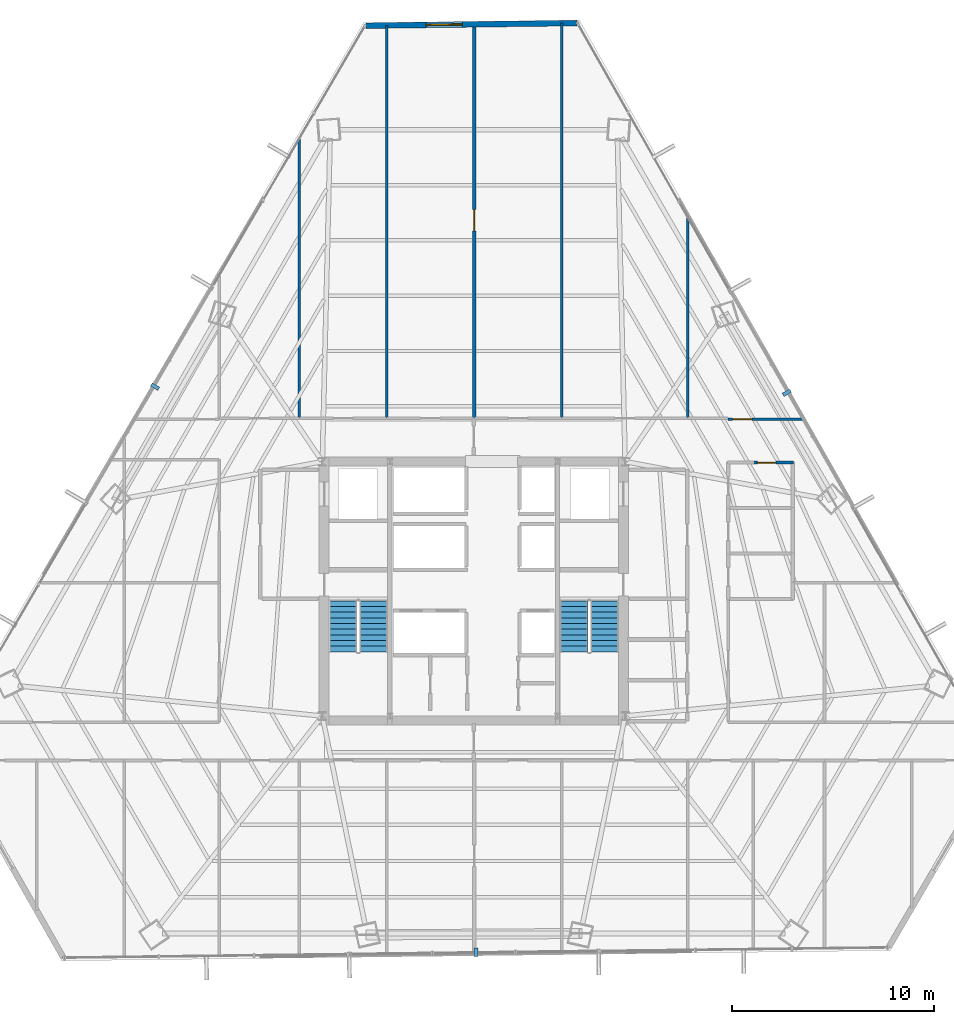
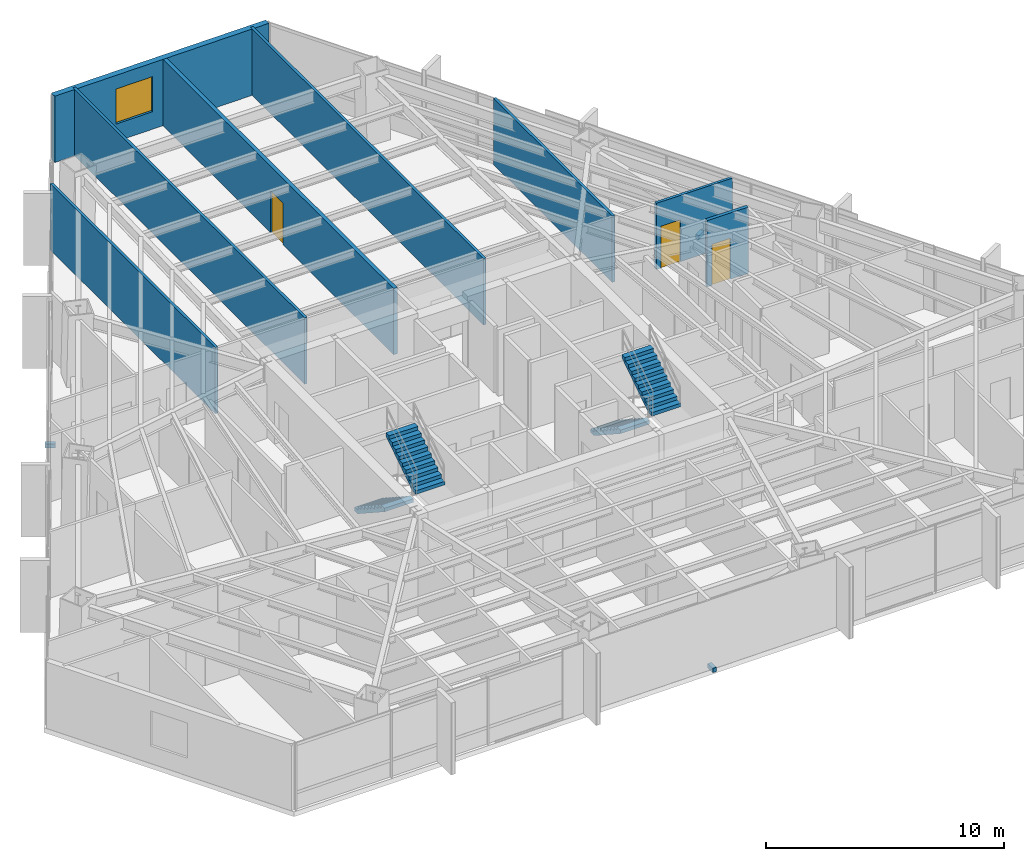
# One storey, part 34 of 37: 8 walls, 4 stair flights, 3 discrete accessories, 3 doors, 1 window, 4 openings, 2 elements without a shape of their own.
"""IFC4 building model written with IfcOpenShell, lengths in metres."""

from ifc_helpers import new_model, si_unit, direction, frame, frame_2d, origin, origin_2d, place, context, subcontext, project, spatial, polyline, rectangle, outline, extrude, source, transform, mapped, material, layer, layer_set, type_object, type_shapes, element, fill, aggregate, save


model = new_model("IFC4")

# Units and contexts
model_context = context("Model", 3, precision=1e-05, world=origin(), true_north=direction((0.0, 1.0)))
body_context = subcontext(model_context, "Body", "Model", "MODEL_VIEW")
ifc_project = project(units=[si_unit("LENGTHUNIT", "METRE"), si_unit("AREAUNIT", "SQUARE_METRE"), si_unit("VOLUMEUNIT", "CUBIC_METRE"), si_unit("PLANEANGLEUNIT", "RADIAN"), si_unit("MASSUNIT", "GRAM", prefix="KILO")], contexts=[model_context])

# Site, building, storey
site_placement = place(None, origin())
site = spatial("IfcSite", under=ifc_project, at=site_placement, CompositionType="ELEMENT")
building_placement = place(site_placement, origin())
building = spatial("IfcBuilding", under=site, at=building_placement, Name="Caelisora Broadcast Tower", CompositionType="ELEMENT")
storey_placement = place(building_placement, frame((0.0, 0.0, 116.35009765625)))
storey = spatial("IfcBuildingStorey", under=building, at=storey_placement, Name="L30", CompositionType="ELEMENT", Elevation=116.35009765625)

# Wall, opening, window
ifc_material_1 = material(Name="Insulated Terracotta Spandrel Wall System", Category="masonry")
ifc_layer_1 = layer(ifc_material_1, 0.280029296875, Name="Insulated Terracotta Spandrel Wall System")
ifc_layer_set_1 = layer_set([ifc_layer_1], Name="Insulated Terracotta Spandrel Wall System")
wall_type_1 = type_object("IfcWallType", Name="EW1", PredefinedType="STANDARD", material=ifc_layer_set_1)
wall_1_placement = place(storey_placement, frame((32.656005859375, 51.59130859375, 0.0), z_axis=(0.0, 0.0, 1.0), x_axis=(0.999923466061, 0.01237182363, 0.0)))
wall_1 = element("IfcWall", 1, at=wall_1_placement, inside=storey, type_object=wall_type_1, Name="L30 exterior envelope wall EW1", PredefinedType="STANDARD", context=body_context, shape_type="SweptSolid", body=[
    extrude(rectangle(XDim=10.458740234375, YDim=0.280029296875, at=frame_2d((5.2294921875, 0.0))), origin(), (0.0, 0.0, 1.0), 3.39990234375),
])
opening_1_placement = place(wall_1_placement, frame((2.97998046875, 0.0, 0.89990234375)))
opening_1 = element("IfcOpeningElement", 2, at=opening_1_placement, cuts=wall_1, Name="Opening W01", PredefinedType="OPENING", context=body_context, shape_type="SweptSolid", body=[
    extrude(rectangle(XDim=1.800048828125, YDim=1.800048828125, at=frame_2d((0.89990234375, 0.89990234375))), frame((0.0, 0.152099609375, 0.0), z_axis=(0.0, -1.0, 0.0), x_axis=(1.0, 0.0, 0.0)), (0.0, 0.0, 1.0), 0.303955078125),
])
ifc_material_2 = material(Name="Double Glazed Terracotta-Framed Vision Window", Category="glass")
window_type = type_object("IfcWindowType", Name="W01", PartitioningType="SINGLE_PANEL", PredefinedType="WINDOW", material=ifc_material_2)
window_placement = place(opening_1_placement, origin())
window = element("IfcWindow", 3, at=window_placement, inside=storey, type_object=window_type, Name="L30 window W01 (L30-WN-CH8)", OverallHeight=1.800048828125, OverallWidth=1.800048828125, PartitioningType="SINGLE_PANEL", PredefinedType="WINDOW", context=body_context, shape_type="SweptSolid", body=[
    extrude(rectangle(XDim=1.800048828125, YDim=1.800048828125, at=frame_2d((0.89990234375, 0.89990234375))), frame((0.0, 0.030029296875, 0.0), z_axis=(0.0, -1.0, 0.0), x_axis=(1.0, 0.0, 0.0)), (0.0, 0.0, 1.0), 0.06005859375),
])
fill(opening_1, window)

# Wall, opening, door
ifc_material_3 = material(Name="Fire-Rated Gypsum Shaft and Compartment Wall", Category="gypsum")
ifc_layer_2 = layer(ifc_material_3, 0.179931640625, Name="Fire-Rated Gypsum Shaft and Compartment Wall")
ifc_layer_set_2 = layer_set([ifc_layer_2], Name="Fire-Rated Gypsum Shaft and Compartment Wall")
wall_type_2 = type_object("IfcWallType", Name="PW2", PredefinedType="PARTITIONING", material=ifc_layer_set_2)
wall_2_placement = place(storey_placement, frame((38.030029296875, 32.155029296875, 0.0), z_axis=(0.0, 0.0, 1.0), x_axis=(0.0, 1.0, 0.0)))
wall_2 = element("IfcWall", 4, at=wall_2_placement, inside=storey, type_object=wall_type_2, Name="L30 fire compartment wall PW2", PredefinedType="PARTITIONING", context=body_context, shape_type="SweptSolid", body=[
    extrude(rectangle(XDim=19.5078125, YDim=0.179931640625, at=frame_2d((9.75390625, 0.0))), origin(), (0.0, 0.0, 1.0), 3.39990234375),
])
opening_2_placement = place(wall_2_placement, frame((9.277099609375, 0.0, 0.0)))
opening_2 = element("IfcOpeningElement", 5, at=opening_2_placement, cuts=wall_2, Name="Opening FD02", PredefinedType="OPENING", context=body_context, shape_type="SweptSolid", body=[
    extrude(rectangle(XDim=1.050048828125, YDim=2.14990234375, at=frame_2d((0.52490234375, 1.074951171875))), frame((0.0, 0.10205078125, 0.0), z_axis=(0.0, -1.0, 0.0), x_axis=(1.0, 0.0, 0.0)), (0.0, 0.0, 1.0), 0.203857421875),
])
ifc_material_4 = material(Name="Single-Leaf Steel Fire Lobby Door", Category="steel")
door_type_1 = type_object("IfcDoorType", Name="FD02", OperationType="NOTDEFINED", PredefinedType="DOOR", material=ifc_material_4)
door_1_placement = place(opening_2_placement, origin())
door_1 = element("IfcDoor", 6, at=door_1_placement, inside=storey, type_object=door_type_1, Name="L30 door FD02 (L30-DR-P32D1)", OperationType="SINGLE_SWING_RIGHT", OverallHeight=2.14990234375, OverallWidth=1.050048828125, PredefinedType="DOOR", context=body_context, shape_type="SweptSolid", body=[
    extrude(rectangle(XDim=1.050048828125, YDim=2.14990234375, at=frame_2d((0.52490234375, 1.074951171875))), frame((0.0, 0.02490234375, 0.0), z_axis=(0.0, -1.0, 0.0), x_axis=(1.0, 0.0, 0.0)), (0.0, 0.0, 1.0), 0.050048828125),
])
fill(opening_2, door_1)

# Walls
ifc_material_5 = material(Name="Acoustic Steel-Stud Plasterboard Partition", Category="gypsum")
ifc_layer_3 = layer(ifc_material_5, 0.1298828125, Name="Acoustic Steel-Stud Plasterboard Partition")
ifc_layer_set_3 = layer_set([ifc_layer_3], Name="Acoustic Steel-Stud Plasterboard Partition")
wall_type_3 = type_object("IfcWallType", Name="PW3", PredefinedType="PARTITIONING", material=ifc_layer_set_3)
wall_3_placement = place(storey_placement, frame((42.360107421875, 32.155029296875, 0.0), z_axis=(0.0, 0.0, 1.0), x_axis=(0.0, 1.0, 0.0)))
element("IfcWall", 7, at=wall_3_placement, inside=storey, type_object=wall_type_3, Name="L30 internal partition PW3", PredefinedType="PARTITIONING", context=body_context, shape_type="SweptSolid", body=[
    extrude(rectangle(XDim=19.561279296875, YDim=0.1298828125, at=frame_2d((9.78076171875, 0.0))), origin(), (0.0, 0.0, 1.0), 3.39990234375),
])
wall_4_placement = place(storey_placement, frame((33.68994140625, 32.155029296875, 0.0), z_axis=(0.0, 0.0, 1.0), x_axis=(0.0, 1.0, 0.0)))
element("IfcWall", 8, at=wall_4_placement, inside=storey, type_object=wall_type_3, Name="L30 internal partition PW3", PredefinedType="PARTITIONING", context=body_context, shape_type="SweptSolid", body=[
    extrude(rectangle(XDim=19.4541015625, YDim=0.1298828125, at=frame_2d((9.72705078125, 0.0))), origin(), (0.0, 0.0, 1.0), 3.39990234375),
])
wall_5_placement = place(storey_placement, frame((29.360107421875, 32.155029296875, 0.0), z_axis=(0.0, 0.0, 1.0), x_axis=(0.0, 1.0, 0.0)))
element("IfcWall", 9, at=wall_5_placement, inside=storey, type_object=wall_type_3, Name="L30 internal partition PW3", PredefinedType="PARTITIONING", context=body_context, shape_type="SweptSolid", body=[
    extrude(rectangle(XDim=13.8564453125, YDim=0.1298828125, at=frame_2d((6.92822265625, 0.0))), origin(), (0.0, 0.0, 1.0), 3.39990234375),
])
wall_6_placement = place(storey_placement, frame((48.60009765625, 32.155029296875, 0.0), z_axis=(0.0, 0.0, 1.0), x_axis=(0.0, 1.0, 0.0)))
element("IfcWall", 10, at=wall_6_placement, inside=storey, type_object=wall_type_3, Name="L30 internal partition PW3", PredefinedType="PARTITIONING", context=body_context, shape_type="SweptSolid", body=[
    extrude(rectangle(XDim=9.967041015625, YDim=0.1298828125, at=frame_2d((4.9833984375, 0.0))), origin(), (0.0, 0.0, 1.0), 3.39990234375),
])

# Wall, opening, door
wall_7_placement = place(storey_placement, frame((50.60498046875, 32.10009765625, 0.0), z_axis=(0.0, 0.0, 1.0), x_axis=(1.0, 0.0, 0.0)))
wall_7 = element("IfcWall", 11, at=wall_7_placement, inside=storey, type_object=wall_type_3, Name="L30 internal partition PW3", PredefinedType="PARTITIONING", context=body_context, shape_type="SweptSolid", body=[
    extrude(rectangle(XDim=3.68505859375, YDim=0.1298828125, at=frame_2d((1.842529296875, 0.0))), origin(), (0.0, 0.0, 1.0), 3.39990234375),
])
opening_3_placement = place(wall_7_placement, frame((0.219970703125, 0.0, 0.0)))
opening_3 = element("IfcOpeningElement", 12, at=opening_3_placement, cuts=wall_7, Name="Opening D01", PredefinedType="OPENING", context=body_context, shape_type="SweptSolid", body=[
    extrude(rectangle(XDim=0.9599609375, YDim=2.14990234375, at=frame_2d((0.47998046875, 1.074951171875))), frame((0.0, 0.076904296875, 0.0), z_axis=(0.0, -1.0, 0.0), x_axis=(1.0, 0.0, 0.0)), (0.0, 0.0, 1.0), 0.15380859375),
])
ifc_material_6 = material(Name="Solid-Core Timber Acoustic Office Door", Category="wood")
door_type_2 = type_object("IfcDoorType", Name="D01", OperationType="NOTDEFINED", PredefinedType="DOOR", material=ifc_material_6)
door_2_placement = place(opening_3_placement, origin())
door_2 = element("IfcDoor", 13, at=door_2_placement, inside=storey, type_object=door_type_2, Name="L30 door D01 (L30-DR-P77D1)", OperationType="SINGLE_SWING_RIGHT", OverallHeight=2.14990234375, OverallWidth=0.9599609375, PredefinedType="DOOR", context=body_context, shape_type="SweptSolid", body=[
    extrude(rectangle(XDim=0.9599609375, YDim=2.14990234375, at=frame_2d((0.47998046875, 1.074951171875))), frame((0.0, 0.02490234375, 0.0), z_axis=(0.0, -1.0, 0.0), x_axis=(1.0, 0.0, 0.0)), (0.0, 0.0, 1.0), 0.050048828125),
])
fill(opening_3, door_2)

ifc_material_7 = material(Name="Moisture-Resistant Wet Plumbing Service Wall", Category="gypsum")
ifc_layer_4 = layer(ifc_material_7, 0.159912109375, Name="Moisture-Resistant Wet Plumbing Service Wall")
ifc_layer_set_4 = layer_set([ifc_layer_4], Name="Moisture-Resistant Wet Plumbing Service Wall")
wall_type_4 = type_object("IfcWallType", Name="PW4", PredefinedType="PLUMBINGWALL", material=ifc_layer_set_4)
wall_8_placement = place(storey_placement, frame((53.824951171875, 29.949951171875, 0.0), z_axis=(0.0, 0.0, 1.0), x_axis=(-1.0, 0.0, 0.0)))
wall_8 = element("IfcWall", 14, at=wall_8_placement, inside=storey, type_object=wall_type_4, Name="L30 wet plumbing wall PW4", PredefinedType="PLUMBINGWALL", context=body_context, shape_type="SweptSolid", body=[
    extrude(rectangle(XDim=2.0, YDim=0.159912109375, at=frame_2d((1.0, 0.0))), origin(), (0.0, 0.0, 1.0), 3.39990234375),
])
opening_4_placement = place(wall_8_placement, frame((0.860107421875, 0.0, 0.0)))
opening_4 = element("IfcOpeningElement", 15, at=opening_4_placement, cuts=wall_8, Name="Opening D03", PredefinedType="OPENING", context=body_context, shape_type="SweptSolid", body=[
    extrude(rectangle(XDim=0.919921875, YDim=2.10009765625, at=frame_2d((0.4599609375, 1.050048828125))), frame((0.0, 0.092041015625, 0.0), z_axis=(0.0, -1.0, 0.0), x_axis=(1.0, 0.0, 0.0)), (0.0, 0.0, 1.0), 0.183837890625),
])
ifc_material_8 = material(Name="Laminate Moisture-Resistant Amenity WC Door", Category="wood")
door_type_3 = type_object("IfcDoorType", Name="D03", OperationType="NOTDEFINED", PredefinedType="DOOR", material=ifc_material_8)
door_3_placement = place(opening_4_placement, origin())
door_3 = element("IfcDoor", 16, at=door_3_placement, inside=storey, type_object=door_type_3, Name="L30 door D03 (L30-DR-P27D1)", OperationType="SINGLE_SWING_LEFT", OverallHeight=2.10009765625, OverallWidth=0.919921875, PredefinedType="DOOR", context=body_context, shape_type="SweptSolid", body=[
    extrude(rectangle(XDim=0.919921875, YDim=2.10009765625, at=frame_2d((0.4599609375, 1.050048828125))), frame((0.0, 0.02490234375, 0.0), z_axis=(0.0, -1.0, 0.0), x_axis=(1.0, 0.0, 0.0)), (0.0, 0.0, 1.0), 0.050048828125),
])
fill(opening_4, door_3)

# Stair, stair flights
ifc_material_9 = material(Name="Concrete 40 MPa (AS 3600 N40)", Category="concrete")
stair_type_1 = type_object("IfcStairType", Name="ST-1", PredefinedType="HALF_TURN_STAIR", material=ifc_material_9)
stair_1_placement = place(storey_placement, origin())
stair_1 = element("IfcStair", 17, at=stair_1_placement, inside=storey, type_object=stair_type_1, Name="L30 West Fire-Isolated Tower Stair", PredefinedType="HALF_TURN_STAIR")
stair_flight_type = type_object("IfcStairFlightType", Name="STF-2", PredefinedType="STRAIGHT", material=ifc_material_9)
stair_flight_1_placement = place(storey_placement, frame((31.52001953125, 23.10009765625, 0.0), z_axis=(0.0, 0.0, 1.0), x_axis=(0.0, -1.0, 0.0)))
stair_flight_1 = element("IfcStairFlight", 18, at=stair_flight_1_placement, type_object=stair_flight_type, Name="ST-1 flight 1", NumberOfRisers=10, NumberOfTreads=9, PredefinedType="STRAIGHT", RiserHeight=0.1825, TreadLength=0.28, context=body_context, shape_type="SweptSolid", body=[
    extrude(outline(polyline([(0.0, 0.0), (0.0, 0.1826171875), (0.280029296875, 0.1826171875), (0.280029296875, 0.364990234375), (0.56005859375, 0.364990234375), (0.56005859375, 0.547607421875), (0.840087890625, 0.547607421875), (0.840087890625, 0.72998046875), (1.1201171875, 0.72998046875), (1.1201171875, 0.91259765625), (1.39990234375, 0.91259765625), (1.39990234375, 1.094970703125), (1.679931640625, 1.094970703125), (1.679931640625, 1.277587890625), (1.9599609375, 1.277587890625), (1.9599609375, 1.4599609375), (2.239990234375, 1.4599609375), (2.239990234375, 1.642578125), (2.52001953125, 1.642578125), (2.52001953125, 1.824951171875), (2.52001953125, 1.463623046875), (0.2744140625, 0.0), (0.0, 0.0)])), frame((0.0, 0.699951171875, 0.0), z_axis=(0.0, -1.0, 0.0), x_axis=(1.0, 0.0, 0.0)), (0.0, 0.0, 1.0), 1.39990234375),
])
stair_flight_2_placement = place(storey_placement, frame((33.0400390625, 20.580078125, 1.824951171875), z_axis=(0.0, 0.0, 1.0), x_axis=(0.0, 1.0, 0.0)))
stair_flight_2 = element("IfcStairFlight", 19, at=stair_flight_2_placement, type_object=stair_flight_type, Name="ST-1 flight 2", NumberOfRisers=10, NumberOfTreads=9, PredefinedType="STRAIGHT", RiserHeight=0.1825, TreadLength=0.28, context=body_context, shape_type="SweptSolid", body=[
    extrude(outline(polyline([(0.0, 0.0), (0.0, 0.1826171875), (0.280029296875, 0.1826171875), (0.280029296875, 0.364990234375), (0.56005859375, 0.364990234375), (0.56005859375, 0.547607421875), (0.840087890625, 0.547607421875), (0.840087890625, 0.72998046875), (1.1201171875, 0.72998046875), (1.1201171875, 0.91259765625), (1.39990234375, 0.91259765625), (1.39990234375, 1.094970703125), (1.679931640625, 1.094970703125), (1.679931640625, 1.277587890625), (1.9599609375, 1.277587890625), (1.9599609375, 1.4599609375), (2.239990234375, 1.4599609375), (2.239990234375, 1.642578125), (2.52001953125, 1.642578125), (2.52001953125, 1.824951171875), (2.52001953125, 1.463623046875), (0.2744140625, 0.0), (0.0, 0.0)])), frame((0.0, 0.699951171875, 0.0), z_axis=(0.0, -1.0, 0.0), x_axis=(1.0, 0.0, 0.0)), (0.0, 0.0, 1.0), 1.39990234375),
])
aggregate(stair_1, [stair_flight_1, stair_flight_2])

stair_type_2 = type_object("IfcStairType", Name="ST-2", PredefinedType="HALF_TURN_STAIR", material=ifc_material_9)
stair_2_placement = place(storey_placement, origin())
stair_2 = element("IfcStair", 20, at=stair_2_placement, inside=storey, type_object=stair_type_2, Name="L30 East Fire-Isolated Tower Stair", PredefinedType="HALF_TURN_STAIR")
stair_flight_3_placement = place(storey_placement, frame((42.9599609375, 23.10009765625, 0.0), z_axis=(0.0, 0.0, 1.0), x_axis=(0.0, -1.0, 0.0)))
stair_flight_3 = element("IfcStairFlight", 21, at=stair_flight_3_placement, type_object=stair_flight_type, Name="ST-2 flight 1", NumberOfRisers=10, NumberOfTreads=9, PredefinedType="STRAIGHT", RiserHeight=0.1825, TreadLength=0.28, context=body_context, shape_type="SweptSolid", body=[
    extrude(outline(polyline([(0.0, 0.0), (0.0, 0.1826171875), (0.280029296875, 0.1826171875), (0.280029296875, 0.364990234375), (0.56005859375, 0.364990234375), (0.56005859375, 0.547607421875), (0.840087890625, 0.547607421875), (0.840087890625, 0.72998046875), (1.1201171875, 0.72998046875), (1.1201171875, 0.91259765625), (1.39990234375, 0.91259765625), (1.39990234375, 1.094970703125), (1.679931640625, 1.094970703125), (1.679931640625, 1.277587890625), (1.9599609375, 1.277587890625), (1.9599609375, 1.4599609375), (2.239990234375, 1.4599609375), (2.239990234375, 1.642578125), (2.52001953125, 1.642578125), (2.52001953125, 1.824951171875), (2.52001953125, 1.463623046875), (0.2744140625, 0.0), (0.0, 0.0)])), frame((0.0, 0.699951171875, 0.0), z_axis=(0.0, -1.0, 0.0), x_axis=(1.0, 0.0, 0.0)), (0.0, 0.0, 1.0), 1.39990234375),
])
stair_flight_4_placement = place(storey_placement, frame((44.47998046875, 20.580078125, 1.824951171875), z_axis=(0.0, 0.0, 1.0), x_axis=(0.0, 1.0, 0.0)))
stair_flight_4 = element("IfcStairFlight", 22, at=stair_flight_4_placement, type_object=stair_flight_type, Name="ST-2 flight 2", NumberOfRisers=10, NumberOfTreads=9, PredefinedType="STRAIGHT", RiserHeight=0.1825, TreadLength=0.28, context=body_context, shape_type="SweptSolid", body=[
    extrude(outline(polyline([(0.0, 0.0), (0.0, 0.1826171875), (0.280029296875, 0.1826171875), (0.280029296875, 0.364990234375), (0.56005859375, 0.364990234375), (0.56005859375, 0.547607421875), (0.840087890625, 0.547607421875), (0.840087890625, 0.72998046875), (1.1201171875, 0.72998046875), (1.1201171875, 0.91259765625), (1.39990234375, 0.91259765625), (1.39990234375, 1.094970703125), (1.679931640625, 1.094970703125), (1.679931640625, 1.277587890625), (1.9599609375, 1.277587890625), (1.9599609375, 1.4599609375), (2.239990234375, 1.4599609375), (2.239990234375, 1.642578125), (2.52001953125, 1.642578125), (2.52001953125, 1.824951171875), (2.52001953125, 1.463623046875), (0.2744140625, 0.0), (0.0, 0.0)])), frame((0.0, 0.699951171875, 0.0), z_axis=(0.0, -1.0, 0.0), x_axis=(1.0, 0.0, 0.0)), (0.0, 0.0, 1.0), 1.39990234375),
])
aggregate(stair_2, [stair_flight_3, stair_flight_4])

# Discrete accessories
ifc_material_10 = material(Name="Steel Grade 350 (AS/NZS 3679.1)", Category="steel")
discrete_accessory_type = type_object("IfcDiscreteAccessoryType", Name="BRK-1", PredefinedType="BRACKET", material=ifc_material_10)
shared_shape = source(origin(), body_context, "Body", "SweptSolid", [
    extrude(rectangle(XDim=0.179931640625, YDim=0.419921875, at=origin_2d()), origin(), (0.0, 0.0, 1.0), 0.219970703125),
])
type_shapes(discrete_accessory_type, [shared_shape])
for number, where, z_axis, x_axis, name in (
    (23, (22.21484375, 33.712646484375, -0.16015625), (0.0, 0.0, 1.0), (-0.504527623815, -0.863395550607, 0.0), "L30 solar screen outrigger bracket #1"),
    (24, (38.111328125, 5.7080078125, -0.16015625), (0.0, 0.0, 1.0), (0.999923222162, 0.012391520548, 0.0), "L30 solar screen outrigger bracket #2"),
    (25, (53.505615234375, 33.4111328125, -0.16015625), (0.0, 0.0, 1.0), (-0.493790103568, 0.86958112538, 0.0), "L30 solar screen outrigger bracket #3"),
):
    element("IfcDiscreteAccessory", number, at=place(storey_placement, frame(where, z_axis=z_axis, x_axis=x_axis)), inside=storey, type_object=discrete_accessory_type, Name=name, PredefinedType="BRACKET", context=body_context, shape_type="MappedRepresentation", body=[
        mapped(shared_shape, transform((0.0, 0.0, 0.0), scale=1.0)),
    ])

save(model, "model.ifc")
